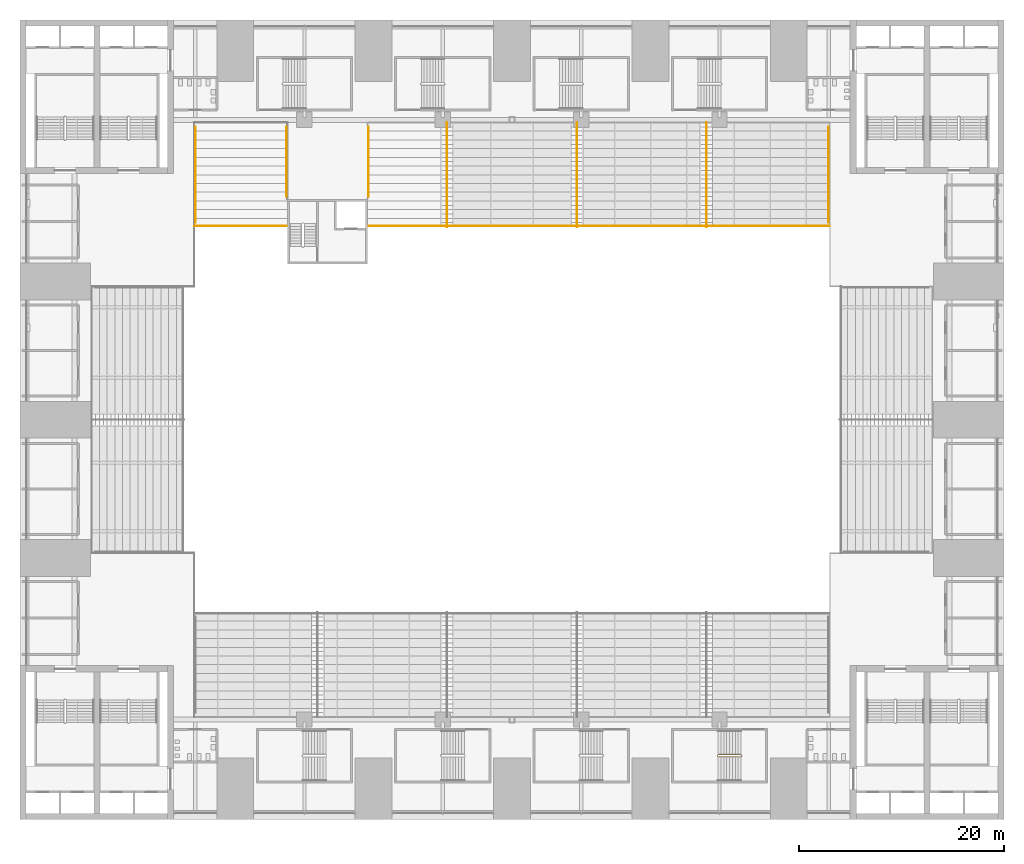
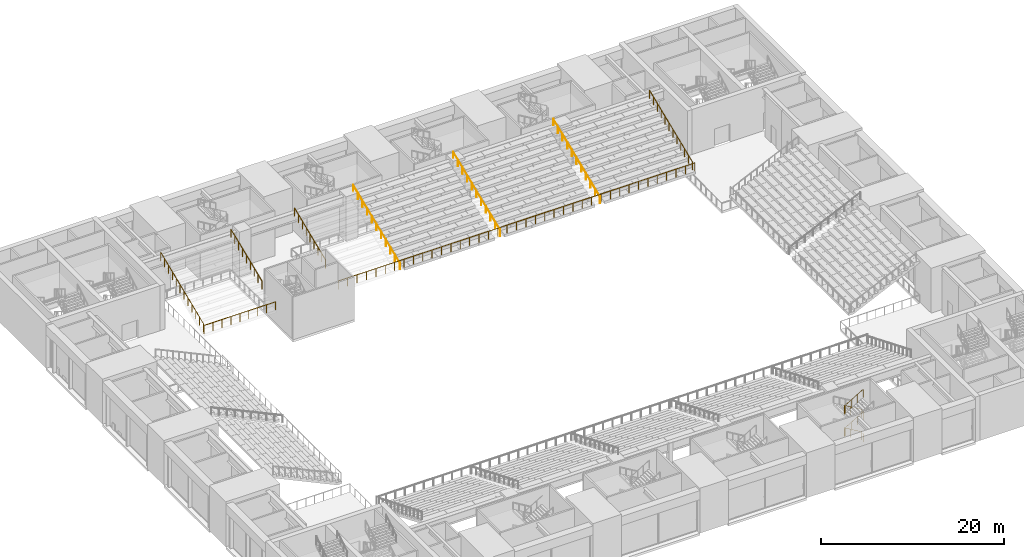
# One storey, part 56 of 61: 3 railings.
"""IFC4 building model written with IfcOpenShell, lengths in metres."""

from ifc_helpers import new_model, si_unit, direction, frame, origin, origin_2d, place, context, subcontext, project, spatial, circle, extrude, material, type_object, element, save


model = new_model("IFC4")

# Units and contexts
model_context = context("Model", 3, precision=1e-05, world=origin(), true_north=direction((0.0, 1.0)))
body_context = subcontext(model_context, "Body", "Model", "MODEL_VIEW")
ifc_project = project(units=[si_unit("LENGTHUNIT", "METRE"), si_unit("AREAUNIT", "SQUARE_METRE"), si_unit("VOLUMEUNIT", "CUBIC_METRE"), si_unit("PLANEANGLEUNIT", "RADIAN"), si_unit("MASSUNIT", "GRAM", prefix="KILO")], contexts=[model_context])

# Site, building, storey
site_placement = place(None, origin())
site = spatial("IfcSite", under=ifc_project, at=site_placement, CompositionType="ELEMENT")
building_placement = place(site_placement, origin())
building = spatial("IfcBuilding", under=site, at=building_placement, Name="Corbelhall Arena Tower", CompositionType="ELEMENT")
storey_placement = place(building_placement, frame((0.0, 0.0, 31.0)))
storey = spatial("IfcBuildingStorey", under=building, at=storey_placement, Name="L04", CompositionType="ELEMENT", Elevation=31.0)

# Railings
ifc_material_1 = material(Name="Stainless steel A4 and laminated glass", Category="steel")
railing_type_1 = type_object("IfcRailingType", Name="AR-GUARD-GLASS", PredefinedType="GUARDRAIL", material=ifc_material_1)
railing_1_placement = place(storey_placement, frame((-31.0, 18.89990234375, 1.800048828125)))
element("IfcRailing", 1, at=railing_1_placement, inside=storey, type_object=railing_type_1, Name="Tier guards UN", PredefinedType="GUARDRAIL", context=body_context, shape_type="SweptSolid", body=[
    extrude(circle(Radius=0.02392578125, at=origin_2d()), frame((0.0, 0.0, 1.076171875), z_axis=(1.0, 0.0, 0.0), x_axis=(0.0, 1.0, 0.0)), (0.0, 0.0, 1.0), 9.0400390625),
    extrude(circle(Radius=0.02392578125, at=origin_2d()), frame((16.9599609375, 0.0, 1.076171875), z_axis=(1.0, 0.0, 0.0), x_axis=(0.0, 1.0, 0.0)), (0.0, 0.0, 1.0), 45.0400390625),
    extrude(circle(Radius=0.02392578125, at=origin_2d()), frame((0.1201171875, 0.3251953125, 1.076171875), z_axis=(0.0, 0.924711104172, 0.38066963869), x_axis=(-1.0, 0.0, 0.0)), (0.0, 0.0, 1.0), 0.9189453125),
    extrude(circle(Radius=0.02392578125, at=origin_2d()), frame((0.1201171875, 1.175048828125, 1.42578125), z_axis=(0.0, 0.924656098445, 0.380803229515), x_axis=(-1.0, 0.0, 0.0)), (0.0, 0.0, 1.0), 0.91943359375),
    extrude(circle(Radius=0.02392578125, at=origin_2d()), frame((0.1201171875, 2.025146484375, 1.77587890625), z_axis=(0.0, 0.924617576102, 0.380896754993), x_axis=(-1.0, 0.0, 0.0)), (0.0, 0.0, 1.0), 0.919189453125),
    extrude(circle(Radius=0.02392578125, at=origin_2d()), frame((0.1201171875, 2.875, 2.1259765625), z_axis=(0.0, 0.924749584479, 0.380576150074), x_axis=(-1.0, 0.0, 0.0)), (0.0, 0.0, 1.0), 0.919189453125),
    extrude(circle(Radius=0.02392578125, at=origin_2d()), frame((0.1201171875, 3.72509765625, 2.47607421875), z_axis=(0.0, 0.924656098445, 0.380803229515), x_axis=(-1.0, 0.0, 0.0)), (0.0, 0.0, 1.0), 0.91943359375),
    extrude(circle(Radius=0.02392578125, at=origin_2d()), frame((0.1201171875, 4.5751953125, 2.826171875), z_axis=(0.0, 0.924711104172, 0.38066963869), x_axis=(-1.0, 0.0, 0.0)), (0.0, 0.0, 1.0), 0.9189453125),
    extrude(circle(Radius=0.02392578125, at=origin_2d()), frame((0.1201171875, 5.425048828125, 3.17578125), z_axis=(0.0, 0.924656098445, 0.380803229515), x_axis=(-1.0, 0.0, 0.0)), (0.0, 0.0, 1.0), 0.91943359375),
    extrude(circle(Radius=0.02392578125, at=origin_2d()), frame((0.1201171875, 6.275146484375, 3.52587890625), z_axis=(0.0, 0.924617576102, 0.380896754993), x_axis=(-1.0, 0.0, 0.0)), (0.0, 0.0, 1.0), 0.919189453125),
    extrude(circle(Radius=0.02392578125, at=origin_2d()), frame((0.1201171875, 7.125, 3.8759765625), z_axis=(0.0, 0.924749584479, 0.380576150074), x_axis=(-1.0, 0.0, 0.0)), (0.0, 0.0, 1.0), 0.919189453125),
    extrude(circle(Radius=0.02392578125, at=origin_2d()), frame((0.1201171875, 7.97509765625, 4.22607421875), z_axis=(0.0, 0.924656098445, 0.380803229515), x_axis=(-1.0, 0.0, 0.0)), (0.0, 0.0, 1.0), 0.91943359375),
    extrude(circle(Radius=0.02392578125, at=origin_2d()), frame((0.1201171875, 8.8251953125, 4.576171875), z_axis=(0.0, 0.924711104172, 0.38066963869), x_axis=(-1.0, 0.0, 0.0)), (0.0, 0.0, 1.0), 0.9189453125),
    extrude(circle(Radius=0.02392578125, at=origin_2d()), frame((61.8798828125, 0.3251953125, 1.076171875), z_axis=(0.0, 0.924711104172, 0.38066963869), x_axis=(-1.0, 0.0, 0.0)), (0.0, 0.0, 1.0), 0.9189453125),
    extrude(circle(Radius=0.02392578125, at=origin_2d()), frame((61.8798828125, 1.175048828125, 1.42578125), z_axis=(0.0, 0.924656098445, 0.380803229515), x_axis=(-1.0, 0.0, 0.0)), (0.0, 0.0, 1.0), 0.91943359375),
    extrude(circle(Radius=0.02392578125, at=origin_2d()), frame((61.8798828125, 2.025146484375, 1.77587890625), z_axis=(0.0, 0.924617576102, 0.380896754993), x_axis=(-1.0, 0.0, 0.0)), (0.0, 0.0, 1.0), 0.919189453125),
    extrude(circle(Radius=0.02392578125, at=origin_2d()), frame((61.8798828125, 2.875, 2.1259765625), z_axis=(0.0, 0.924749584479, 0.380576150074), x_axis=(-1.0, 0.0, 0.0)), (0.0, 0.0, 1.0), 0.919189453125),
    extrude(circle(Radius=0.02392578125, at=origin_2d()), frame((61.8798828125, 3.72509765625, 2.47607421875), z_axis=(0.0, 0.924656098445, 0.380803229515), x_axis=(-1.0, 0.0, 0.0)), (0.0, 0.0, 1.0), 0.91943359375),
    extrude(circle(Radius=0.02392578125, at=origin_2d()), frame((61.8798828125, 4.5751953125, 2.826171875), z_axis=(0.0, 0.924711104172, 0.38066963869), x_axis=(-1.0, 0.0, 0.0)), (0.0, 0.0, 1.0), 0.9189453125),
    extrude(circle(Radius=0.02392578125, at=origin_2d()), frame((61.8798828125, 5.425048828125, 3.17578125), z_axis=(0.0, 0.924656098445, 0.380803229515), x_axis=(-1.0, 0.0, 0.0)), (0.0, 0.0, 1.0), 0.91943359375),
    extrude(circle(Radius=0.02392578125, at=origin_2d()), frame((61.8798828125, 6.275146484375, 3.52587890625), z_axis=(0.0, 0.924617576102, 0.380896754993), x_axis=(-1.0, 0.0, 0.0)), (0.0, 0.0, 1.0), 0.919189453125),
    extrude(circle(Radius=0.02392578125, at=origin_2d()), frame((61.8798828125, 7.125, 3.8759765625), z_axis=(0.0, 0.924749584479, 0.380576150074), x_axis=(-1.0, 0.0, 0.0)), (0.0, 0.0, 1.0), 0.919189453125),
    extrude(circle(Radius=0.02392578125, at=origin_2d()), frame((61.8798828125, 7.97509765625, 4.22607421875), z_axis=(0.0, 0.924656098445, 0.380803229515), x_axis=(-1.0, 0.0, 0.0)), (0.0, 0.0, 1.0), 0.91943359375),
    extrude(circle(Radius=0.02392578125, at=origin_2d()), frame((61.8798828125, 8.8251953125, 4.576171875), z_axis=(0.0, 0.924711104172, 0.38066963869), x_axis=(-1.0, 0.0, 0.0)), (0.0, 0.0, 1.0), 0.9189453125),
    extrude(circle(Radius=0.02392578125, at=origin_2d()), frame((8.97998046875, 2.875, 2.1259765625), z_axis=(0.0, 0.924749584479, 0.380576150074), x_axis=(-1.0, 0.0, 0.0)), (0.0, 0.0, 1.0), 0.919189453125),
    extrude(circle(Radius=0.02392578125, at=origin_2d()), frame((8.97998046875, 3.72509765625, 2.47607421875), z_axis=(0.0, 0.924656098445, 0.380803229515), x_axis=(-1.0, 0.0, 0.0)), (0.0, 0.0, 1.0), 0.91943359375),
    extrude(circle(Radius=0.02392578125, at=origin_2d()), frame((8.97998046875, 4.5751953125, 2.826171875), z_axis=(0.0, 0.924711104172, 0.38066963869), x_axis=(-1.0, 0.0, 0.0)), (0.0, 0.0, 1.0), 0.9189453125),
    extrude(circle(Radius=0.02392578125, at=origin_2d()), frame((8.97998046875, 5.425048828125, 3.17578125), z_axis=(0.0, 0.924656098445, 0.380803229515), x_axis=(-1.0, 0.0, 0.0)), (0.0, 0.0, 1.0), 0.91943359375),
    extrude(circle(Radius=0.02392578125, at=origin_2d()), frame((8.97998046875, 6.275146484375, 3.52587890625), z_axis=(0.0, 0.924617576102, 0.380896754993), x_axis=(-1.0, 0.0, 0.0)), (0.0, 0.0, 1.0), 0.919189453125),
    extrude(circle(Radius=0.02392578125, at=origin_2d()), frame((8.97998046875, 7.125, 3.8759765625), z_axis=(0.0, 0.924749584479, 0.380576150074), x_axis=(-1.0, 0.0, 0.0)), (0.0, 0.0, 1.0), 0.919189453125),
    extrude(circle(Radius=0.02392578125, at=origin_2d()), frame((8.97998046875, 7.97509765625, 4.22607421875), z_axis=(0.0, 0.924656098445, 0.380803229515), x_axis=(-1.0, 0.0, 0.0)), (0.0, 0.0, 1.0), 0.91943359375),
    extrude(circle(Radius=0.02392578125, at=origin_2d()), frame((8.97998046875, 8.8251953125, 4.576171875), z_axis=(0.0, 0.924711104172, 0.38066963869), x_axis=(-1.0, 0.0, 0.0)), (0.0, 0.0, 1.0), 0.9189453125),
    extrude(circle(Radius=0.02392578125, at=origin_2d()), frame((17.02001953125, 2.875, 2.1259765625), z_axis=(0.0, 0.924749584479, 0.380576150074), x_axis=(-1.0, 0.0, 0.0)), (0.0, 0.0, 1.0), 0.919189453125),
    extrude(circle(Radius=0.02392578125, at=origin_2d()), frame((17.02001953125, 3.72509765625, 2.47607421875), z_axis=(0.0, 0.924656098445, 0.380803229515), x_axis=(-1.0, 0.0, 0.0)), (0.0, 0.0, 1.0), 0.91943359375),
    extrude(circle(Radius=0.02392578125, at=origin_2d()), frame((17.02001953125, 4.5751953125, 2.826171875), z_axis=(0.0, 0.924711104172, 0.38066963869), x_axis=(-1.0, 0.0, 0.0)), (0.0, 0.0, 1.0), 0.9189453125),
    extrude(circle(Radius=0.02392578125, at=origin_2d()), frame((17.02001953125, 5.425048828125, 3.17578125), z_axis=(0.0, 0.924656098445, 0.380803229515), x_axis=(-1.0, 0.0, 0.0)), (0.0, 0.0, 1.0), 0.91943359375),
    extrude(circle(Radius=0.02392578125, at=origin_2d()), frame((17.02001953125, 6.275146484375, 3.52587890625), z_axis=(0.0, 0.924617576102, 0.380896754993), x_axis=(-1.0, 0.0, 0.0)), (0.0, 0.0, 1.0), 0.919189453125),
    extrude(circle(Radius=0.02392578125, at=origin_2d()), frame((17.02001953125, 7.125, 3.8759765625), z_axis=(0.0, 0.924749584479, 0.380576150074), x_axis=(-1.0, 0.0, 0.0)), (0.0, 0.0, 1.0), 0.919189453125),
    extrude(circle(Radius=0.02392578125, at=origin_2d()), frame((17.02001953125, 7.97509765625, 4.22607421875), z_axis=(0.0, 0.924656098445, 0.380803229515), x_axis=(-1.0, 0.0, 0.0)), (0.0, 0.0, 1.0), 0.91943359375),
    extrude(circle(Radius=0.02392578125, at=origin_2d()), frame((17.02001953125, 8.8251953125, 4.576171875), z_axis=(0.0, 0.924711104172, 0.38066963869), x_axis=(-1.0, 0.0, 0.0)), (0.0, 0.0, 1.0), 0.9189453125),
    extrude(circle(Radius=0.02099609375, at=origin_2d()), origin(), (0.0, 0.0, 1.0), 1.052001953125),
    extrude(circle(Radius=0.02099609375, at=origin_2d()), frame((1.1298828125, 0.0, 0.0)), (0.0, 0.0, 1.0), 1.052001953125),
    extrude(circle(Radius=0.02099609375, at=origin_2d()), frame((2.260009765625, 0.0, 0.0)), (0.0, 0.0, 1.0), 1.052001953125),
    extrude(circle(Radius=0.02099609375, at=origin_2d()), frame((3.39013671875, 0.0, 0.0)), (0.0, 0.0, 1.0), 1.052001953125),
    extrude(circle(Radius=0.02099609375, at=origin_2d()), frame((4.52001953125, 0.0, 0.0)), (0.0, 0.0, 1.0), 1.052001953125),
    extrude(circle(Radius=0.02099609375, at=origin_2d()), frame((5.64990234375, 0.0, 0.0)), (0.0, 0.0, 1.0), 1.052001953125),
    extrude(circle(Radius=0.02099609375, at=origin_2d()), frame((6.780029296875, 0.0, 0.0)), (0.0, 0.0, 1.0), 1.052001953125),
    extrude(circle(Radius=0.02099609375, at=origin_2d()), frame((7.91015625, 0.0, 0.0)), (0.0, 0.0, 1.0), 1.052001953125),
    extrude(circle(Radius=0.02099609375, at=origin_2d()), frame((9.0400390625, 0.0, 0.0)), (0.0, 0.0, 1.0), 1.052001953125),
    extrude(circle(Radius=0.02099609375, at=origin_2d()), frame((16.9599609375, 0.0, 0.0)), (0.0, 0.0, 1.0), 1.052001953125),
    extrude(circle(Radius=0.02099609375, at=origin_2d()), frame((18.145263671875, 0.0, 0.0)), (0.0, 0.0, 1.0), 1.052001953125),
    extrude(circle(Radius=0.02099609375, at=origin_2d()), frame((19.33056640625, 0.0, 0.0)), (0.0, 0.0, 1.0), 1.052001953125),
    extrude(circle(Radius=0.02099609375, at=origin_2d()), frame((20.515869140625, 0.0, 0.0)), (0.0, 0.0, 1.0), 1.052001953125),
    extrude(circle(Radius=0.02099609375, at=origin_2d()), frame((21.700927734375, 0.0, 0.0)), (0.0, 0.0, 1.0), 1.052001953125),
    extrude(circle(Radius=0.02099609375, at=origin_2d()), frame((22.88623046875, 0.0, 0.0)), (0.0, 0.0, 1.0), 1.052001953125),
    extrude(circle(Radius=0.02099609375, at=origin_2d()), frame((24.071533203125, 0.0, 0.0)), (0.0, 0.0, 1.0), 1.052001953125),
    extrude(circle(Radius=0.02099609375, at=origin_2d()), frame((25.2568359375, 0.0, 0.0)), (0.0, 0.0, 1.0), 1.052001953125),
    extrude(circle(Radius=0.02099609375, at=origin_2d()), frame((26.442138671875, 0.0, 0.0)), (0.0, 0.0, 1.0), 1.052001953125),
    extrude(circle(Radius=0.02099609375, at=origin_2d()), frame((27.62744140625, 0.0, 0.0)), (0.0, 0.0, 1.0), 1.052001953125),
    extrude(circle(Radius=0.02099609375, at=origin_2d()), frame((28.8125, 0.0, 0.0)), (0.0, 0.0, 1.0), 1.052001953125),
    extrude(circle(Radius=0.02099609375, at=origin_2d()), frame((29.997802734375, 0.0, 0.0)), (0.0, 0.0, 1.0), 1.052001953125),
    extrude(circle(Radius=0.02099609375, at=origin_2d()), frame((31.18310546875, 0.0, 0.0)), (0.0, 0.0, 1.0), 1.052001953125),
    extrude(circle(Radius=0.02099609375, at=origin_2d()), frame((32.368408203125, 0.0, 0.0)), (0.0, 0.0, 1.0), 1.052001953125),
    extrude(circle(Radius=0.02099609375, at=origin_2d()), frame((33.5537109375, 0.0, 0.0)), (0.0, 0.0, 1.0), 1.052001953125),
    extrude(circle(Radius=0.02099609375, at=origin_2d()), frame((34.739013671875, 0.0, 0.0)), (0.0, 0.0, 1.0), 1.052001953125),
    extrude(circle(Radius=0.02099609375, at=origin_2d()), frame((35.924072265625, 0.0, 0.0)), (0.0, 0.0, 1.0), 1.052001953125),
    extrude(circle(Radius=0.02099609375, at=origin_2d()), frame((37.109375, 0.0, 0.0)), (0.0, 0.0, 1.0), 1.052001953125),
    extrude(circle(Radius=0.02099609375, at=origin_2d()), frame((38.294677734375, 0.0, 0.0)), (0.0, 0.0, 1.0), 1.052001953125),
    extrude(circle(Radius=0.02099609375, at=origin_2d()), frame((39.47998046875, 0.0, 0.0)), (0.0, 0.0, 1.0), 1.052001953125),
    extrude(circle(Radius=0.02099609375, at=origin_2d()), frame((40.665283203125, 0.0, 0.0)), (0.0, 0.0, 1.0), 1.052001953125),
    extrude(circle(Radius=0.02099609375, at=origin_2d()), frame((41.8505859375, 0.0, 0.0)), (0.0, 0.0, 1.0), 1.052001953125),
    extrude(circle(Radius=0.02099609375, at=origin_2d()), frame((43.035888671875, 0.0, 0.0)), (0.0, 0.0, 1.0), 1.052001953125),
    extrude(circle(Radius=0.02099609375, at=origin_2d()), frame((44.220947265625, 0.0, 0.0)), (0.0, 0.0, 1.0), 1.052001953125),
    extrude(circle(Radius=0.02099609375, at=origin_2d()), frame((45.40625, 0.0, 0.0)), (0.0, 0.0, 1.0), 1.052001953125),
    extrude(circle(Radius=0.02099609375, at=origin_2d()), frame((46.591552734375, 0.0, 0.0)), (0.0, 0.0, 1.0), 1.052001953125),
    extrude(circle(Radius=0.02099609375, at=origin_2d()), frame((47.77685546875, 0.0, 0.0)), (0.0, 0.0, 1.0), 1.052001953125),
    extrude(circle(Radius=0.02099609375, at=origin_2d()), frame((48.962158203125, 0.0, 0.0)), (0.0, 0.0, 1.0), 1.052001953125),
    extrude(circle(Radius=0.02099609375, at=origin_2d()), frame((50.1474609375, 0.0, 0.0)), (0.0, 0.0, 1.0), 1.052001953125),
    extrude(circle(Radius=0.02099609375, at=origin_2d()), frame((51.33251953125, 0.0, 0.0)), (0.0, 0.0, 1.0), 1.052001953125),
    extrude(circle(Radius=0.02099609375, at=origin_2d()), frame((52.517822265625, 0.0, 0.0)), (0.0, 0.0, 1.0), 1.052001953125),
    extrude(circle(Radius=0.02099609375, at=origin_2d()), frame((53.703125, 0.0, 0.0)), (0.0, 0.0, 1.0), 1.052001953125),
    extrude(circle(Radius=0.02099609375, at=origin_2d()), frame((54.888427734375, 0.0, 0.0)), (0.0, 0.0, 1.0), 1.052001953125),
    extrude(circle(Radius=0.02099609375, at=origin_2d()), frame((56.07373046875, 0.0, 0.0)), (0.0, 0.0, 1.0), 1.052001953125),
    extrude(circle(Radius=0.02099609375, at=origin_2d()), frame((57.259033203125, 0.0, 0.0)), (0.0, 0.0, 1.0), 1.052001953125),
    extrude(circle(Radius=0.02099609375, at=origin_2d()), frame((58.444091796875, 0.0, 0.0)), (0.0, 0.0, 1.0), 1.052001953125),
    extrude(circle(Radius=0.02099609375, at=origin_2d()), frame((59.62939453125, 0.0, 0.0)), (0.0, 0.0, 1.0), 1.052001953125),
    extrude(circle(Radius=0.02099609375, at=origin_2d()), frame((60.814697265625, 0.0, 0.0)), (0.0, 0.0, 1.0), 1.052001953125),
    extrude(circle(Radius=0.02099609375, at=origin_2d()), frame((62.0, 0.0, 0.0)), (0.0, 0.0, 1.0), 1.052001953125),
    extrude(circle(Radius=0.02099609375, at=origin_2d()), frame((0.1201171875, 0.3251953125, 0.0)), (0.0, 0.0, 1.0), 1.052001953125),
    extrude(circle(Radius=0.02099609375, at=origin_2d()), frame((0.1201171875, 1.175048828125, 0.349853515625)), (0.0, 0.0, 1.0), 1.052001953125),
    extrude(circle(Radius=0.02099609375, at=origin_2d()), frame((0.1201171875, 2.025146484375, 0.699951171875)), (0.0, 0.0, 1.0), 1.052001953125),
    extrude(circle(Radius=0.02099609375, at=origin_2d()), frame((0.1201171875, 2.875, 1.050048828125)), (0.0, 0.0, 1.0), 1.052001953125),
    extrude(circle(Radius=0.02099609375, at=origin_2d()), frame((0.1201171875, 3.72509765625, 1.39990234375)), (0.0, 0.0, 1.0), 1.052001953125),
    extrude(circle(Radius=0.02099609375, at=origin_2d()), frame((0.1201171875, 4.5751953125, 1.75)), (0.0, 0.0, 1.0), 1.052001953125),
    extrude(circle(Radius=0.02099609375, at=origin_2d()), frame((0.1201171875, 5.425048828125, 2.099853515625)), (0.0, 0.0, 1.0), 1.052001953125),
    extrude(circle(Radius=0.02099609375, at=origin_2d()), frame((0.1201171875, 6.275146484375, 2.449951171875)), (0.0, 0.0, 1.0), 1.052001953125),
    extrude(circle(Radius=0.02099609375, at=origin_2d()), frame((0.1201171875, 7.125, 2.800048828125)), (0.0, 0.0, 1.0), 1.052001953125),
    extrude(circle(Radius=0.02099609375, at=origin_2d()), frame((0.1201171875, 7.97509765625, 3.14990234375)), (0.0, 0.0, 1.0), 1.052001953125),
    extrude(circle(Radius=0.02099609375, at=origin_2d()), frame((0.1201171875, 8.8251953125, 3.5)), (0.0, 0.0, 1.0), 1.052001953125),
    extrude(circle(Radius=0.02099609375, at=origin_2d()), frame((0.1201171875, 9.675048828125, 3.849853515625)), (0.0, 0.0, 1.0), 1.052001953125),
    extrude(circle(Radius=0.02099609375, at=origin_2d()), frame((61.8798828125, 0.3251953125, 0.0)), (0.0, 0.0, 1.0), 1.052001953125),
    extrude(circle(Radius=0.02099609375, at=origin_2d()), frame((61.8798828125, 1.175048828125, 0.349853515625)), (0.0, 0.0, 1.0), 1.052001953125),
    extrude(circle(Radius=0.02099609375, at=origin_2d()), frame((61.8798828125, 2.025146484375, 0.699951171875)), (0.0, 0.0, 1.0), 1.052001953125),
    extrude(circle(Radius=0.02099609375, at=origin_2d()), frame((61.8798828125, 2.875, 1.050048828125)), (0.0, 0.0, 1.0), 1.052001953125),
    extrude(circle(Radius=0.02099609375, at=origin_2d()), frame((61.8798828125, 3.72509765625, 1.39990234375)), (0.0, 0.0, 1.0), 1.052001953125),
    extrude(circle(Radius=0.02099609375, at=origin_2d()), frame((61.8798828125, 4.5751953125, 1.75)), (0.0, 0.0, 1.0), 1.052001953125),
    extrude(circle(Radius=0.02099609375, at=origin_2d()), frame((61.8798828125, 5.425048828125, 2.099853515625)), (0.0, 0.0, 1.0), 1.052001953125),
    extrude(circle(Radius=0.02099609375, at=origin_2d()), frame((61.8798828125, 6.275146484375, 2.449951171875)), (0.0, 0.0, 1.0), 1.052001953125),
    extrude(circle(Radius=0.02099609375, at=origin_2d()), frame((61.8798828125, 7.125, 2.800048828125)), (0.0, 0.0, 1.0), 1.052001953125),
    extrude(circle(Radius=0.02099609375, at=origin_2d()), frame((61.8798828125, 7.97509765625, 3.14990234375)), (0.0, 0.0, 1.0), 1.052001953125),
    extrude(circle(Radius=0.02099609375, at=origin_2d()), frame((61.8798828125, 8.8251953125, 3.5)), (0.0, 0.0, 1.0), 1.052001953125),
    extrude(circle(Radius=0.02099609375, at=origin_2d()), frame((61.8798828125, 9.675048828125, 3.849853515625)), (0.0, 0.0, 1.0), 1.052001953125),
    extrude(circle(Radius=0.02099609375, at=origin_2d()), frame((8.97998046875, 2.875, 1.050048828125)), (0.0, 0.0, 1.0), 1.052001953125),
    extrude(circle(Radius=0.02099609375, at=origin_2d()), frame((8.97998046875, 3.72509765625, 1.39990234375)), (0.0, 0.0, 1.0), 1.052001953125),
    extrude(circle(Radius=0.02099609375, at=origin_2d()), frame((8.97998046875, 4.5751953125, 1.75)), (0.0, 0.0, 1.0), 1.052001953125),
    extrude(circle(Radius=0.02099609375, at=origin_2d()), frame((8.97998046875, 5.425048828125, 2.099853515625)), (0.0, 0.0, 1.0), 1.052001953125),
    extrude(circle(Radius=0.02099609375, at=origin_2d()), frame((8.97998046875, 6.275146484375, 2.449951171875)), (0.0, 0.0, 1.0), 1.052001953125),
    extrude(circle(Radius=0.02099609375, at=origin_2d()), frame((8.97998046875, 7.125, 2.800048828125)), (0.0, 0.0, 1.0), 1.052001953125),
    extrude(circle(Radius=0.02099609375, at=origin_2d()), frame((8.97998046875, 7.97509765625, 3.14990234375)), (0.0, 0.0, 1.0), 1.052001953125),
    extrude(circle(Radius=0.02099609375, at=origin_2d()), frame((8.97998046875, 8.8251953125, 3.5)), (0.0, 0.0, 1.0), 1.052001953125),
    extrude(circle(Radius=0.02099609375, at=origin_2d()), frame((8.97998046875, 9.675048828125, 3.849853515625)), (0.0, 0.0, 1.0), 1.052001953125),
    extrude(circle(Radius=0.02099609375, at=origin_2d()), frame((17.02001953125, 2.875, 1.050048828125)), (0.0, 0.0, 1.0), 1.052001953125),
    extrude(circle(Radius=0.02099609375, at=origin_2d()), frame((17.02001953125, 3.72509765625, 1.39990234375)), (0.0, 0.0, 1.0), 1.052001953125),
    extrude(circle(Radius=0.02099609375, at=origin_2d()), frame((17.02001953125, 4.5751953125, 1.75)), (0.0, 0.0, 1.0), 1.052001953125),
    extrude(circle(Radius=0.02099609375, at=origin_2d()), frame((17.02001953125, 5.425048828125, 2.099853515625)), (0.0, 0.0, 1.0), 1.052001953125),
    extrude(circle(Radius=0.02099609375, at=origin_2d()), frame((17.02001953125, 6.275146484375, 2.449951171875)), (0.0, 0.0, 1.0), 1.052001953125),
    extrude(circle(Radius=0.02099609375, at=origin_2d()), frame((17.02001953125, 7.125, 2.800048828125)), (0.0, 0.0, 1.0), 1.052001953125),
    extrude(circle(Radius=0.02099609375, at=origin_2d()), frame((17.02001953125, 7.97509765625, 3.14990234375)), (0.0, 0.0, 1.0), 1.052001953125),
    extrude(circle(Radius=0.02099609375, at=origin_2d()), frame((17.02001953125, 8.8251953125, 3.5)), (0.0, 0.0, 1.0), 1.052001953125),
    extrude(circle(Radius=0.02099609375, at=origin_2d()), frame((17.02001953125, 9.675048828125, 3.849853515625)), (0.0, 0.0, 1.0), 1.052001953125),
])
ifc_material_2 = material(Name="Stainless steel A4", Category="steel")
railing_type_2 = type_object("IfcRailingType", Name="AR-HANDRAIL-AISLE", PredefinedType="HANDRAIL", material=ifc_material_2)
railing_2_placement = place(storey_placement, frame((-6.320068359375, 18.800048828125, 1.800048828125)))
element("IfcRailing", 2, at=railing_2_placement, inside=storey, type_object=railing_type_2, Name="Aisle handrails UN", PredefinedType="HANDRAIL", context=body_context, shape_type="SweptSolid", body=[
    extrude(circle(Radius=0.02392578125, at=origin_2d()), frame((0.0, 0.0, 0.8759765625), z_axis=(0.0, 0.924679015208, 0.380747578894), x_axis=(-1.0, 0.0, 0.0)), (0.0, 0.0, 1.0), 11.03076171875),
    extrude(circle(Radius=0.02392578125, at=origin_2d()), frame((12.64013671875, 0.0, 0.8759765625), z_axis=(0.0, 0.924679015208, 0.380747578894), x_axis=(-1.0, 0.0, 0.0)), (0.0, 0.0, 1.0), 11.03076171875),
    extrude(circle(Radius=0.02392578125, at=origin_2d()), frame((25.280029296875, 0.0, 0.8759765625), z_axis=(0.0, 0.924679015208, 0.380747578894), x_axis=(-1.0, 0.0, 0.0)), (0.0, 0.0, 1.0), 11.03076171875),
    extrude(circle(Radius=0.02099609375, at=origin_2d()), origin(), (0.0, 0.0, 1.0), 0.851806640625),
    extrude(circle(Radius=0.02099609375, at=origin_2d()), frame((0.0, 1.02001953125, 0.419921875)), (0.0, 0.0, 1.0), 0.851806640625),
    extrude(circle(Radius=0.02099609375, at=origin_2d()), frame((0.0, 2.0400390625, 0.840087890625)), (0.0, 0.0, 1.0), 0.851806640625),
    extrude(circle(Radius=0.02099609375, at=origin_2d()), frame((0.0, 3.06005859375, 1.260009765625)), (0.0, 0.0, 1.0), 0.851806640625),
    extrude(circle(Radius=0.02099609375, at=origin_2d()), frame((0.0, 4.080078125, 1.679931640625)), (0.0, 0.0, 1.0), 0.851806640625),
    extrude(circle(Radius=0.02099609375, at=origin_2d()), frame((0.0, 5.10009765625, 2.10009765625)), (0.0, 0.0, 1.0), 0.851806640625),
    extrude(circle(Radius=0.02099609375, at=origin_2d()), frame((0.0, 6.119873046875, 2.52001953125)), (0.0, 0.0, 1.0), 0.851806640625),
    extrude(circle(Radius=0.02099609375, at=origin_2d()), frame((0.0, 7.139892578125, 2.93994140625)), (0.0, 0.0, 1.0), 0.851806640625),
    extrude(circle(Radius=0.02099609375, at=origin_2d()), frame((0.0, 8.159912109375, 3.35986328125)), (0.0, 0.0, 1.0), 0.851806640625),
    extrude(circle(Radius=0.02099609375, at=origin_2d()), frame((0.0, 9.179931640625, 3.780029296875)), (0.0, 0.0, 1.0), 0.851806640625),
    extrude(circle(Radius=0.02099609375, at=origin_2d()), frame((0.0, 10.199951171875, 4.199951171875)), (0.0, 0.0, 1.0), 0.851806640625),
    extrude(circle(Radius=0.02099609375, at=origin_2d()), frame((12.64013671875, 0.0, 0.0)), (0.0, 0.0, 1.0), 0.851806640625),
    extrude(circle(Radius=0.02099609375, at=origin_2d()), frame((12.64013671875, 1.02001953125, 0.419921875)), (0.0, 0.0, 1.0), 0.851806640625),
    extrude(circle(Radius=0.02099609375, at=origin_2d()), frame((12.64013671875, 2.0400390625, 0.840087890625)), (0.0, 0.0, 1.0), 0.851806640625),
    extrude(circle(Radius=0.02099609375, at=origin_2d()), frame((12.64013671875, 3.06005859375, 1.260009765625)), (0.0, 0.0, 1.0), 0.851806640625),
    extrude(circle(Radius=0.02099609375, at=origin_2d()), frame((12.64013671875, 4.080078125, 1.679931640625)), (0.0, 0.0, 1.0), 0.851806640625),
    extrude(circle(Radius=0.02099609375, at=origin_2d()), frame((12.64013671875, 5.10009765625, 2.10009765625)), (0.0, 0.0, 1.0), 0.851806640625),
    extrude(circle(Radius=0.02099609375, at=origin_2d()), frame((12.64013671875, 6.119873046875, 2.52001953125)), (0.0, 0.0, 1.0), 0.851806640625),
    extrude(circle(Radius=0.02099609375, at=origin_2d()), frame((12.64013671875, 7.139892578125, 2.93994140625)), (0.0, 0.0, 1.0), 0.851806640625),
    extrude(circle(Radius=0.02099609375, at=origin_2d()), frame((12.64013671875, 8.159912109375, 3.35986328125)), (0.0, 0.0, 1.0), 0.851806640625),
    extrude(circle(Radius=0.02099609375, at=origin_2d()), frame((12.64013671875, 9.179931640625, 3.780029296875)), (0.0, 0.0, 1.0), 0.851806640625),
    extrude(circle(Radius=0.02099609375, at=origin_2d()), frame((12.64013671875, 10.199951171875, 4.199951171875)), (0.0, 0.0, 1.0), 0.851806640625),
    extrude(circle(Radius=0.02099609375, at=origin_2d()), frame((25.280029296875, 0.0, 0.0)), (0.0, 0.0, 1.0), 0.851806640625),
    extrude(circle(Radius=0.02099609375, at=origin_2d()), frame((25.280029296875, 1.02001953125, 0.419921875)), (0.0, 0.0, 1.0), 0.851806640625),
    extrude(circle(Radius=0.02099609375, at=origin_2d()), frame((25.280029296875, 2.0400390625, 0.840087890625)), (0.0, 0.0, 1.0), 0.851806640625),
    extrude(circle(Radius=0.02099609375, at=origin_2d()), frame((25.280029296875, 3.06005859375, 1.260009765625)), (0.0, 0.0, 1.0), 0.851806640625),
    extrude(circle(Radius=0.02099609375, at=origin_2d()), frame((25.280029296875, 4.080078125, 1.679931640625)), (0.0, 0.0, 1.0), 0.851806640625),
    extrude(circle(Radius=0.02099609375, at=origin_2d()), frame((25.280029296875, 5.10009765625, 2.10009765625)), (0.0, 0.0, 1.0), 0.851806640625),
    extrude(circle(Radius=0.02099609375, at=origin_2d()), frame((25.280029296875, 6.119873046875, 2.52001953125)), (0.0, 0.0, 1.0), 0.851806640625),
    extrude(circle(Radius=0.02099609375, at=origin_2d()), frame((25.280029296875, 7.139892578125, 2.93994140625)), (0.0, 0.0, 1.0), 0.851806640625),
    extrude(circle(Radius=0.02099609375, at=origin_2d()), frame((25.280029296875, 8.159912109375, 3.35986328125)), (0.0, 0.0, 1.0), 0.851806640625),
    extrude(circle(Radius=0.02099609375, at=origin_2d()), frame((25.280029296875, 9.179931640625, 3.780029296875)), (0.0, 0.0, 1.0), 0.851806640625),
    extrude(circle(Radius=0.02099609375, at=origin_2d()), frame((25.280029296875, 10.199951171875, 4.199951171875)), (0.0, 0.0, 1.0), 0.851806640625),
])
railing_type_3 = type_object("IfcRailingType", Name="AR-STAIR-GUARD", PredefinedType="GUARDRAIL", material=ifc_material_2)
railing_3_placement = place(storey_placement, frame((22.35009765625, -32.64990234375, 0.166748046875)))
element("IfcRailing", 3, at=railing_3_placement, inside=storey, type_object=railing_type_3, Name="L04 AS16 stair guards", PredefinedType="GUARDRAIL", context=body_context, shape_type="SweptSolid", body=[
    extrude(circle(Radius=0.02392578125, at=origin_2d()), frame((0.0, 0.0, 1.076171875), z_axis=(-0.859305625298, 0.0, 0.511462454469), x_axis=(0.0, -1.0, 0.0)), (0.0, 0.0, 1.0), 2.606689453125),
    extrude(circle(Radius=0.02392578125, at=origin_2d()), frame((-2.2900390625, -0.050048828125, 2.4091796875), z_axis=(0.0, -1.0, 0.0), x_axis=(1.0, 0.0, 0.0)), (0.0, 0.0, 1.0), 0.150146484375),
    extrude(circle(Radius=0.02392578125, at=origin_2d()), frame((-2.239990234375, -0.25, 2.576171875), z_axis=(0.859305625298, 0.0, 0.511462454469), x_axis=(0.0, 1.0, 0.0)), (0.0, 0.0, 1.0), 2.606689453125),
    extrude(circle(Radius=0.02392578125, at=origin_2d()), frame((0.0498046875, -0.050048828125, 3.9091796875), z_axis=(0.0, -1.0, 0.0), x_axis=(1.0, 0.0, 0.0)), (0.0, 0.0, 1.0), 0.150146484375),
    extrude(circle(Radius=0.02392578125, at=origin_2d()), frame((0.0, 0.0, 4.076171875), z_axis=(-0.859305625298, 0.0, 0.511462454469), x_axis=(0.0, -1.0, 0.0)), (0.0, 0.0, 1.0), 2.606689453125),
    extrude(circle(Radius=0.02392578125, at=origin_2d()), frame((-2.2900390625, -0.050048828125, 5.4091796875), z_axis=(0.0, -1.0, 0.0), x_axis=(1.0, 0.0, 0.0)), (0.0, 0.0, 1.0), 0.150146484375),
    extrude(circle(Radius=0.02392578125, at=origin_2d()), frame((-2.239990234375, -0.25, 5.576171875), z_axis=(0.859305625298, 0.0, 0.511462454469), x_axis=(0.0, 1.0, 0.0)), (0.0, 0.0, 1.0), 2.606689453125),
    extrude(circle(Radius=0.02392578125, at=origin_2d()), frame((0.0498046875, -0.050048828125, 0.9091796875), z_axis=(0.0, -1.0, 0.0), x_axis=(1.0, 0.0, 0.0)), (0.0, 0.0, 1.0), 0.150146484375),
    extrude(circle(Radius=0.02099609375, at=origin_2d()), origin(), (0.0, 0.0, 1.0), 1.052001953125),
    extrude(circle(Radius=0.02099609375, at=origin_2d()), frame((-0.74658203125, 0.0, 0.4443359375)), (0.0, 0.0, 1.0), 1.052001953125),
    extrude(circle(Radius=0.02099609375, at=origin_2d()), frame((-1.493408203125, 0.0, 0.888916015625)), (0.0, 0.0, 1.0), 1.052001953125),
    extrude(circle(Radius=0.02099609375, at=origin_2d()), frame((-2.239990234375, 0.0, 1.333251953125)), (0.0, 0.0, 1.0), 1.052001953125),
    extrude(circle(Radius=0.02099609375, at=origin_2d()), frame((-2.2900390625, -0.050048828125, 1.333251953125)), (0.0, 0.0, 1.0), 1.052001953125),
    extrude(circle(Radius=0.02099609375, at=origin_2d()), frame((-2.2900390625, -0.2001953125, 1.333251953125)), (0.0, 0.0, 1.0), 1.052001953125),
    extrude(circle(Radius=0.02099609375, at=origin_2d()), frame((-2.239990234375, -0.25, 1.5)), (0.0, 0.0, 1.0), 1.052001953125),
    extrude(circle(Radius=0.02099609375, at=origin_2d()), frame((-1.493408203125, -0.25, 1.9443359375)), (0.0, 0.0, 1.0), 1.052001953125),
    extrude(circle(Radius=0.02099609375, at=origin_2d()), frame((-0.74658203125, -0.25, 2.388916015625)), (0.0, 0.0, 1.0), 1.052001953125),
    extrude(circle(Radius=0.02099609375, at=origin_2d()), frame((0.0, -0.25, 2.833251953125)), (0.0, 0.0, 1.0), 1.052001953125),
    extrude(circle(Radius=0.02099609375, at=origin_2d()), frame((0.0498046875, -0.050048828125, 2.833251953125)), (0.0, 0.0, 1.0), 1.052001953125),
    extrude(circle(Radius=0.02099609375, at=origin_2d()), frame((0.0498046875, -0.2001953125, 2.833251953125)), (0.0, 0.0, 1.0), 1.052001953125),
    extrude(circle(Radius=0.02099609375, at=origin_2d()), frame((0.0, 0.0, 3.0)), (0.0, 0.0, 1.0), 1.052001953125),
    extrude(circle(Radius=0.02099609375, at=origin_2d()), frame((-0.74658203125, 0.0, 3.4443359375)), (0.0, 0.0, 1.0), 1.052001953125),
    extrude(circle(Radius=0.02099609375, at=origin_2d()), frame((-1.493408203125, 0.0, 3.888916015625)), (0.0, 0.0, 1.0), 1.052001953125),
    extrude(circle(Radius=0.02099609375, at=origin_2d()), frame((-2.239990234375, 0.0, 4.333251953125)), (0.0, 0.0, 1.0), 1.052001953125),
    extrude(circle(Radius=0.02099609375, at=origin_2d()), frame((-2.2900390625, -0.050048828125, 4.333251953125)), (0.0, 0.0, 1.0), 1.052001953125),
    extrude(circle(Radius=0.02099609375, at=origin_2d()), frame((-2.2900390625, -0.2001953125, 4.333251953125)), (0.0, 0.0, 1.0), 1.052001953125),
    extrude(circle(Radius=0.02099609375, at=origin_2d()), frame((-2.239990234375, -0.25, 4.5)), (0.0, 0.0, 1.0), 1.052001953125),
    extrude(circle(Radius=0.02099609375, at=origin_2d()), frame((-1.493408203125, -0.25, 4.9443359375)), (0.0, 0.0, 1.0), 1.052001953125),
    extrude(circle(Radius=0.02099609375, at=origin_2d()), frame((-0.74658203125, -0.25, 5.388916015625)), (0.0, 0.0, 1.0), 1.052001953125),
    extrude(circle(Radius=0.02099609375, at=origin_2d()), frame((0.0, -0.25, 5.833251953125)), (0.0, 0.0, 1.0), 1.052001953125),
    extrude(circle(Radius=0.02099609375, at=origin_2d()), frame((0.0498046875, -0.050048828125, -0.166748046875)), (0.0, 0.0, 1.0), 1.052001953125),
    extrude(circle(Radius=0.02099609375, at=origin_2d()), frame((0.0498046875, -0.2001953125, -0.166748046875)), (0.0, 0.0, 1.0), 1.052001953125),
])

save(model, "model.ifc")
